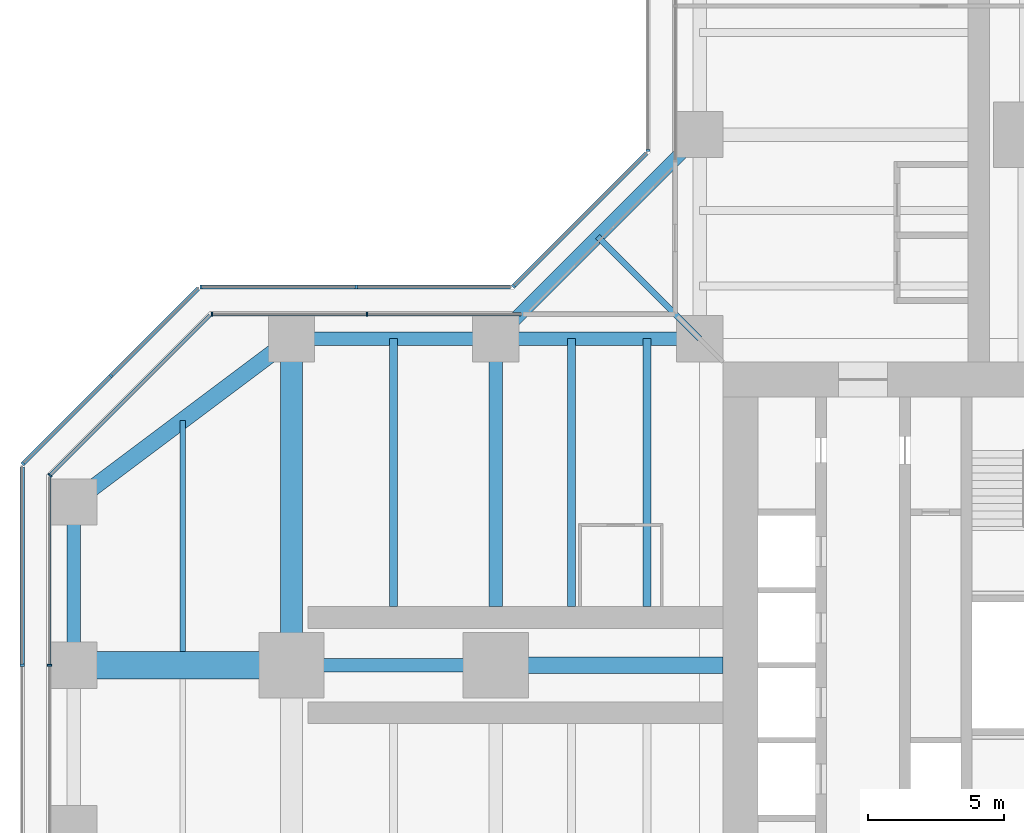
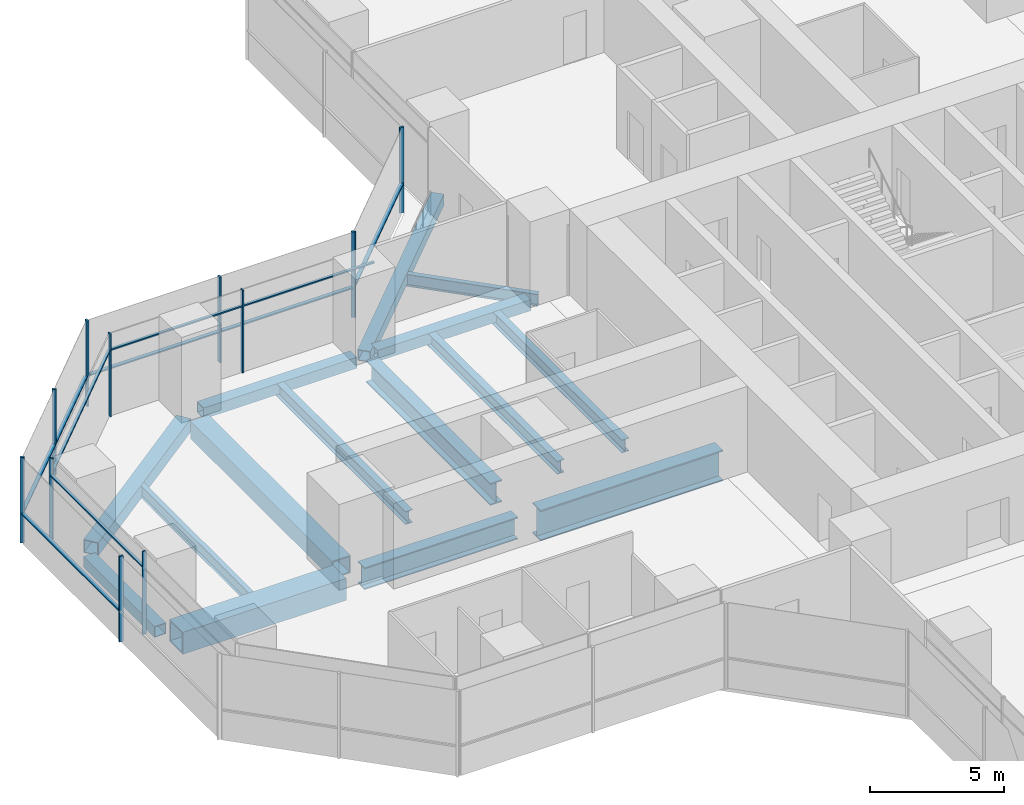
# One storey, part 8 of 22: 21 members, 15 beams, 8 elements without a shape of their own.
"""IFC4 building model written with IfcOpenShell, lengths in metres."""

from ifc_helpers import new_model, si_unit, direction, frame, origin, origin_2d, place, context, subcontext, project, spatial, rectangle, hollow_rectangle, i_section, extrude, material, material_profile, profile_set, type_object, element, aggregate, save


model = new_model("IFC4")

# Units and contexts
model_context = context("Model", 3, precision=1e-05, world=origin(), true_north=direction((0.0, 1.0)))
body_context = subcontext(model_context, "Body", "Model", "MODEL_VIEW")
ifc_project = project(units=[si_unit("LENGTHUNIT", "METRE"), si_unit("AREAUNIT", "SQUARE_METRE"), si_unit("VOLUMEUNIT", "CUBIC_METRE"), si_unit("PLANEANGLEUNIT", "RADIAN"), si_unit("MASSUNIT", "GRAM", prefix="KILO")], contexts=[model_context])

# Site, building, storey
site_placement = place(None, origin())
site = spatial("IfcSite", under=ifc_project, at=site_placement, CompositionType="ELEMENT")
building_placement = place(site_placement, origin())
building = spatial("IfcBuilding", under=site, at=building_placement, Name="Mizan Broadcast Tower", CompositionType="ELEMENT")
storey_placement = place(building_placement, frame((0.0, 0.0, 74.699951171875)))
storey = spatial("IfcBuildingStorey", under=building, at=storey_placement, Name="L15", CompositionType="ELEMENT", Elevation=74.699951171875)

# Beams
ifc_material_1 = material(Name="Steel S355", Category="steel")
ifc_material_profile_1 = material_profile(ifc_material_1, hollow_rectangle(XDim=0.5, YDim=0.5, WallThickness=0.030029296875, at=origin_2d()), Name="BOX 500x500x30")
ifc_profile_set_1 = profile_set([ifc_material_profile_1], Name="Steel S355")
beam_type_1 = type_object("IfcBeamType", Name="EDGE BEAM BOX 500x500x30", PredefinedType="SPANDREL", material=ifc_profile_set_1)
for number, where, z_axis, x_axis, name in (
    (1, (-12.449951171875, 12.0, -0.3798828125), (-1.0, 0.0, 0.0), (0.0, -1.0, 0.0), "Edge beam BOX 500x500x30 L15 west arm"),
    (2, (-19.949951171875, 12.0, -0.3798828125), (-1.0, 0.0, 0.0), (0.0, -1.0, 0.0), "Edge beam BOX 500x500x30 L15 west arm"),
):
    element("IfcBeam", number, at=place(storey_placement, frame(where, z_axis=z_axis, x_axis=x_axis)), inside=storey, type_object=beam_type_1, Name=name, PredefinedType="SPANDREL", context=body_context, shape_type="SweptSolid", body=[
        extrude(hollow_rectangle(XDim=0.5, YDim=0.5, WallThickness=0.030029296875, at=origin_2d()), origin(), (0.0, 0.0, 1.0), 6.60009765625),
    ])
beam_1_placement = place(storey_placement, frame((-35.0, 5.639892578125, -0.3798828125), z_axis=(0.0, -1.0, 0.0), x_axis=(1.0, 0.0, 0.0)))
element("IfcBeam", 3, at=beam_1_placement, inside=storey, type_object=beam_type_1, Name="Edge beam BOX 500x500x30 L15 west arm", PredefinedType="SPANDREL", context=body_context, shape_type="SweptSolid", body=[
    extrude(hollow_rectangle(XDim=0.5, YDim=0.5, WallThickness=0.030029296875, at=origin_2d()), origin(), (0.0, 0.0, 1.0), 5.27978515625),
])
beam_2_placement = place(storey_placement, frame((-12.0, 19.5, -0.3798828125), z_axis=(-0.707106781187, -0.707106781187, 0.0), x_axis=(0.707106781187, -0.707106781187, 0.0)))
element("IfcBeam", 4, at=beam_2_placement, inside=storey, type_object=beam_type_1, Name="Winter garden edge beam L15 N", PredefinedType="SPANDREL", context=body_context, shape_type="SweptSolid", body=[
    extrude(hollow_rectangle(XDim=0.5, YDim=0.5, WallThickness=0.030029296875, at=origin_2d()), origin(), (0.0, 0.0, 1.0), 10.606689453125),
])
ifc_material_2 = material(Name="Steel S355", Category="steel")
ifc_material_profile_2 = material_profile(ifc_material_2, hollow_rectangle(XDim=0.60009765625, YDim=0.60009765625, WallThickness=0.030029296875, at=origin_2d()), Name="BOX 600x600x30")
ifc_profile_set_2 = profile_set([ifc_material_profile_2], Name="Steel S355")
beam_type_2 = type_object("IfcBeamType", Name="EDGE BEAM BOX 600x600x30", PredefinedType="SPANDREL", material=ifc_profile_set_2)
beam_3_placement = place(storey_placement, frame((-27.47998046875, 11.639892578125, -0.429931640625), z_axis=(-0.800013316712, -0.599982243973, 0.0), x_axis=(0.599982243973, -0.800013316712, 0.0)))
element("IfcBeam", 5, at=beam_3_placement, inside=storey, type_object=beam_type_2, Name="Edge beam BOX 600x600x30 L15 west arm", PredefinedType="SPANDREL", context=body_context, shape_type="SweptSolid", body=[
    extrude(hollow_rectangle(XDim=0.60009765625, YDim=0.60009765625, WallThickness=0.030029296875, at=origin_2d()), origin(), (0.0, 0.0, 1.0), 8.7998046875),
])
ifc_material_3 = material(Name="Steel S460", Category="steel")
ifc_material_profile_3 = material_profile(ifc_material_3, hollow_rectangle(XDim=1.0, YDim=1.0, WallThickness=0.06005859375, at=origin_2d()), Name="BOX 1000x1000x60")
ifc_profile_set_3 = profile_set([ifc_material_profile_3], Name="Steel S460")
beam_type_3 = type_object("IfcBeamType", Name="GIRDER BOX 1000x1000x60", PredefinedType="BEAM", material=ifc_profile_set_3)
beam_4_placement = place(storey_placement, frame((-27.47998046875, 0.0, -0.6298828125), z_axis=(-1.0, 0.0, 0.0), x_axis=(0.0, -1.0, 0.0)))
element("IfcBeam", 6, at=beam_4_placement, inside=storey, type_object=beam_type_3, Name="Girder BOX 1000x1000x60 L15 west arm", PredefinedType="BEAM", context=body_context, shape_type="SweptSolid", body=[
    extrude(hollow_rectangle(XDim=1.0, YDim=1.0, WallThickness=0.06005859375, at=origin_2d()), origin(), (0.0, 0.0, 1.0), 7.0400390625),
])
ifc_material_4 = material(Name="Steel S460", Category="steel")
ifc_material_profile_4 = material_profile(ifc_material_4, hollow_rectangle(XDim=0.800048828125, YDim=0.800048828125, WallThickness=0.050048828125, at=origin_2d()), Name="BOX 800x800x50")
ifc_profile_set_4 = profile_set([ifc_material_profile_4], Name="Steel S460")
beam_type_4 = type_object("IfcBeamType", Name="GIRDER BOX 800x800x50", PredefinedType="BEAM", material=ifc_profile_set_4)
beam_5_placement = place(storey_placement, frame((-27.0, 11.280029296875, -0.530029296875), z_axis=(0.0, -1.0, 0.0), x_axis=(1.0, 0.0, 0.0)))
element("IfcBeam", 7, at=beam_5_placement, inside=storey, type_object=beam_type_4, Name="Girder BOX 800x800x50 L15 west arm", PredefinedType="BEAM", context=body_context, shape_type="SweptSolid", body=[
    extrude(hollow_rectangle(XDim=0.800048828125, YDim=0.800048828125, WallThickness=0.050048828125, at=origin_2d()), origin(), (0.0, 0.0, 1.0), 10.56005859375),
])
ifc_material_5 = material(Name="Steel S460", Category="steel")
ifc_material_profile_5 = material_profile(ifc_material_5, i_section(OverallWidth=0.5, OverallDepth=1.0, WebThickness=0.02490234375, FlangeThickness=0.050048828125, at=origin_2d()), Name="WPG 1000x500")
ifc_profile_set_5 = profile_set([ifc_material_profile_5], Name="Steel S460")
beam_type_5 = type_object("IfcBeamType", Name="GIRDER WPG 1000x500", PredefinedType="BEAM", material=ifc_profile_set_5)
beam_6_placement = place(storey_placement, frame((-19.949951171875, 0.0, -0.6298828125), z_axis=(-1.0, 0.0, 0.0), x_axis=(0.0, -1.0, 0.0)))
element("IfcBeam", 8, at=beam_6_placement, inside=storey, type_object=beam_type_5, Name="Girder WPG 1000x500 L15 west arm", PredefinedType="BEAM", context=body_context, shape_type="SweptSolid", body=[
    extrude(i_section(OverallWidth=0.5, OverallDepth=1.0, WebThickness=0.02490234375, FlangeThickness=0.050048828125, at=origin_2d()), origin(), (0.0, 0.0, 1.0), 6.60009765625),
])
beam_7_placement = place(storey_placement, frame((-19.5, 11.408935546875, -0.6298828125), z_axis=(0.0, -1.0, 0.0), x_axis=(1.0, 0.0, 0.0)))
element("IfcBeam", 9, at=beam_7_placement, inside=storey, type_object=beam_type_5, Name="Girder WPG 1000x500 L15 west arm", PredefinedType="BEAM", context=body_context, shape_type="SweptSolid", body=[
    extrude(i_section(OverallWidth=0.5, OverallDepth=1.0, WebThickness=0.02490234375, FlangeThickness=0.050048828125, at=origin_2d()), origin(), (0.0, 0.0, 1.0), 9.259033203125),
])
ifc_material_6 = material(Name="Steel S460", Category="steel")
ifc_material_profile_6 = material_profile(ifc_material_6, i_section(OverallWidth=0.60009765625, OverallDepth=1.39990234375, WebThickness=0.02490234375, FlangeThickness=0.06005859375, at=origin_2d()), Name="WPG 1400x600")
ifc_profile_set_6 = profile_set([ifc_material_profile_6], Name="Steel S460")
beam_type_6 = type_object("IfcBeamType", Name="GIRDER WPG 1400x600", PredefinedType="BEAM", material=ifc_profile_set_6)
beam_8_placement = place(storey_placement, frame((-11.14990234375, 0.0, -0.829833984375), z_axis=(-1.0, 0.0, 0.0), x_axis=(0.0, -1.0, 0.0)))
element("IfcBeam", 10, at=beam_8_placement, inside=storey, type_object=beam_type_6, Name="Girder WPG 1400x600 L15 west arm", PredefinedType="BEAM", context=body_context, shape_type="SweptSolid", body=[
    extrude(i_section(OverallWidth=0.60009765625, OverallDepth=1.39990234375, WebThickness=0.02490234375, FlangeThickness=0.06005859375, at=origin_2d()), origin(), (0.0, 0.0, 1.0), 7.84912109375),
])

# Curtain wall, members
ifc_material_7 = material(Name="Aluminium framed glazing", Category="aluminium")
curtain_wall_type_1 = type_object("IfcCurtainWallType", Name="INNER SKIN LOW ZONE", PredefinedType="USERDEFINED", material=ifc_material_7)
curtain_wall_1_placement = place(storey_placement, origin())
curtain_wall_1 = element("IfcCurtainWall", 11, at=curtain_wall_1_placement, inside=storey, type_object=curtain_wall_type_1, Name="Inner skin low zone L15 W side", ObjectType="INNER SKIN LOW ZONE", PredefinedType="USERDEFINED")
ifc_material_8 = material(Name="Aluminium, pale anodised", Category="aluminium")
ifc_material_profile_7 = material_profile(ifc_material_8, rectangle(XDim=0.159912109375, YDim=0.06005859375, at=origin_2d()), Name="MULLION 160x60")
ifc_profile_set_7 = profile_set([ifc_material_profile_7], Name="Aluminium, pale anodised")
member_type_1 = type_object("IfcMemberType", Name="INNER SKIN MULLION 60x160", PredefinedType="MULLION", material=ifc_profile_set_7)
member_1_placement = place(storey_placement, frame((-24.229248046875, 12.89990234375, 0.0), z_axis=(0.0, 0.0, 1.0), x_axis=(0.0, -1.0, 0.0)))
member_1 = element("IfcMember", 12, at=member_1_placement, type_object=member_type_1, Name="Inner skin low zone L15 W side mullion 2", PredefinedType="MULLION", context=body_context, shape_type="SweptSolid", body=[
    extrude(rectangle(XDim=0.159912109375, YDim=0.06005859375, at=origin_2d()), origin(), (0.0, 0.0, 1.0), 3.77001953125),
])
member_2_placement = place(storey_placement, frame((-29.928466796875, 12.89990234375, 0.0), z_axis=(0.0, 0.0, 1.0), x_axis=(0.0, -1.0, 0.0)))
member_2 = element("IfcMember", 13, at=member_2_placement, type_object=member_type_1, Name="Inner skin low zone L15 W side mullion 3", PredefinedType="MULLION", context=body_context, shape_type="SweptSolid", body=[
    extrude(rectangle(XDim=0.159912109375, YDim=0.06005859375, at=origin_2d()), origin(), (0.0, 0.0, 1.0), 3.77001953125),
])

# Curtain wall, member
curtain_wall_2_placement = place(storey_placement, origin())
curtain_wall_2 = element("IfcCurtainWall", 14, at=curtain_wall_2_placement, inside=storey, type_object=curtain_wall_type_1, Name="Inner skin low zone L15 W chamfer", ObjectType="INNER SKIN LOW ZONE", PredefinedType="USERDEFINED")
member_3_placement = place(storey_placement, frame((-35.87890625, 6.979736328125, 0.0), z_axis=(0.0, 0.0, 1.0), x_axis=(0.707106781187, -0.707106781187, 0.0)))
member_3 = element("IfcMember", 15, at=member_3_placement, type_object=member_type_1, Name="Inner skin low zone L15 W chamfer mullion 2", PredefinedType="MULLION", context=body_context, shape_type="SweptSolid", body=[
    extrude(rectangle(XDim=0.159912109375, YDim=0.06005859375, at=origin_2d()), origin(), (0.0, 0.0, 1.0), 3.77001953125),
])

curtain_wall_3_placement = place(storey_placement, origin())
curtain_wall_3 = element("IfcCurtainWall", 16, at=curtain_wall_3_placement, inside=storey, type_object=curtain_wall_type_1, Name="Inner skin low zone L15 W end", ObjectType="INNER SKIN LOW ZONE", PredefinedType="USERDEFINED")
member_4_placement = place(storey_placement, frame((-35.89990234375, 0.0, 0.0), z_axis=(0.0, 0.0, 1.0), x_axis=(1.0, 0.0, 0.0)))
member_4 = element("IfcMember", 17, at=member_4_placement, type_object=member_type_1, Name="Inner skin low zone L15 W end mullion 2", PredefinedType="MULLION", context=body_context, shape_type="SweptSolid", body=[
    extrude(rectangle(XDim=0.159912109375, YDim=0.06005859375, at=origin_2d()), origin(), (0.0, 0.0, 1.0), 3.77001953125),
])

# Member
ifc_material_9 = material(Name="Aluminium, pale anodised", Category="aluminium")
ifc_material_profile_8 = material_profile(ifc_material_9, rectangle(XDim=0.1201171875, YDim=0.06005859375, at=origin_2d()), Name="TRANSOM 120x60")
ifc_profile_set_8 = profile_set([ifc_material_profile_8], Name="Aluminium, pale anodised")
member_type_2 = type_object("IfcMemberType", Name="INNER SKIN TRANSOM 60x120", PredefinedType="USERDEFINED", material=ifc_profile_set_8)
member_5_placement = place(storey_placement, frame((-18.56005859375, 12.89990234375, 3.030029296875), z_axis=(-1.0, 0.0, 0.0), x_axis=(0.0, -1.0, 0.0)))
member_5 = element("IfcMember", 18, at=member_5_placement, type_object=member_type_2, Name="Inner skin low zone L15 W side transom 1.1", ObjectType="TRANSOM", PredefinedType="USERDEFINED", context=body_context, shape_type="SweptSolid", body=[
    extrude(rectangle(XDim=0.1201171875, YDim=0.06005859375, at=origin_2d()), origin(), (0.0, 0.0, 1.0), 5.63916015625),
])

member_6_placement = place(storey_placement, frame((-24.25927734375, 12.89990234375, 3.030029296875), z_axis=(-1.0, 0.0, 0.0), x_axis=(0.0, -1.0, 0.0)))
member_6 = element("IfcMember", 19, at=member_6_placement, type_object=member_type_2, Name="Inner skin low zone L15 W side transom 2.1", ObjectType="TRANSOM", PredefinedType="USERDEFINED", context=body_context, shape_type="SweptSolid", body=[
    extrude(rectangle(XDim=0.1201171875, YDim=0.06005859375, at=origin_2d()), origin(), (0.0, 0.0, 1.0), 5.639404296875),
])

aggregate(curtain_wall_1, [member_1, member_2, member_5, member_6])

member_7_placement = place(storey_placement, frame((-30.0009765625, 12.857666015625, 3.030029296875), z_axis=(-0.707106781187, -0.707106781187, 0.0), x_axis=(0.707106781187, -0.707106781187, 0.0)))
member_7 = element("IfcMember", 20, at=member_7_placement, type_object=member_type_2, Name="Inner skin low zone L15 W chamfer transom 1.1", ObjectType="TRANSOM", PredefinedType="USERDEFINED", context=body_context, shape_type="SweptSolid", body=[
    extrude(rectangle(XDim=0.1201171875, YDim=0.06005859375, at=origin_2d()), origin(), (0.0, 0.0, 1.0), 8.28271484375),
])

aggregate(curtain_wall_2, [member_3, member_7])

member_8_placement = place(storey_placement, frame((-35.89990234375, 6.898681640625, 3.030029296875), z_axis=(0.0, -1.0, 0.0), x_axis=(1.0, 0.0, 0.0)))
member_8 = element("IfcMember", 21, at=member_8_placement, type_object=member_type_2, Name="Inner skin low zone L15 W end transom 1.1", ObjectType="TRANSOM", PredefinedType="USERDEFINED", context=body_context, shape_type="SweptSolid", body=[
    extrude(rectangle(XDim=0.1201171875, YDim=0.06005859375, at=origin_2d()), origin(), (0.0, 0.0, 1.0), 6.86865234375),
])

aggregate(curtain_wall_3, [member_4, member_8])

# Curtain wall, member
ifc_material_10 = material(Name="Aluminium framed glazing", Category="aluminium")
curtain_wall_type_2 = type_object("IfcCurtainWallType", Name="OUTER SKIN", PredefinedType="USERDEFINED", material=ifc_material_10)
curtain_wall_4_placement = place(storey_placement, origin())
curtain_wall_4 = element("IfcCurtainWall", 22, at=curtain_wall_4_placement, inside=storey, type_object=curtain_wall_type_2, Name="Outer skin L15 N side", ObjectType="OUTER SKIN", PredefinedType="USERDEFINED")
ifc_material_11 = material(Name="Aluminium, pale anodised", Category="aluminium")
ifc_material_profile_9 = material_profile(ifc_material_11, rectangle(XDim=0.159912109375, YDim=0.080078125, at=origin_2d()), Name="MULLION 160x80")
ifc_profile_set_9 = profile_set([ifc_material_profile_9], Name="Aluminium, pale anodised")
member_type_3 = type_object("IfcMemberType", Name="OUTER SKIN MULLION 80x160", PredefinedType="MULLION", material=ifc_profile_set_9)
member_9_placement = place(storey_placement, frame((-13.89990234375, 18.912841796875, 0.0), z_axis=(0.0, 0.0, 1.0), x_axis=(1.0, 0.0, 0.0)))
member_9 = element("IfcMember", 23, at=member_9_placement, type_object=member_type_3, Name="Outer skin L15 N side mullion 3", PredefinedType="MULLION", context=body_context, shape_type="SweptSolid", body=[
    extrude(rectangle(XDim=0.159912109375, YDim=0.080078125, at=origin_2d()), origin(), (0.0, 0.0, 1.0), 3.900146484375),
])
aggregate(curtain_wall_4, [member_9])

curtain_wall_5_placement = place(storey_placement, origin())
curtain_wall_5 = element("IfcCurtainWall", 24, at=curtain_wall_5_placement, inside=storey, type_object=curtain_wall_type_2, Name="Outer skin L15 W chamfer", ObjectType="OUTER SKIN", PredefinedType="USERDEFINED")
member_10_placement = place(storey_placement, frame((-18.844482421875, 13.92822265625, 0.0), z_axis=(0.0, 0.0, 1.0), x_axis=(0.707106781187, -0.707106781187, 0.0)))
member_10 = element("IfcMember", 25, at=member_10_placement, type_object=member_type_3, Name="Outer skin L15 W chamfer mullion 2", PredefinedType="MULLION", context=body_context, shape_type="SweptSolid", body=[
    extrude(rectangle(XDim=0.159912109375, YDim=0.080078125, at=origin_2d()), origin(), (0.0, 0.0, 1.0), 3.900146484375),
])

# Curtain wall, members
curtain_wall_6_placement = place(storey_placement, origin())
curtain_wall_6 = element("IfcCurtainWall", 26, at=curtain_wall_6_placement, inside=storey, type_object=curtain_wall_type_2, Name="Outer skin L15 W side", ObjectType="OUTER SKIN", PredefinedType="USERDEFINED")
member_11_placement = place(storey_placement, frame((-24.622802734375, 13.89990234375, 0.0), z_axis=(0.0, 0.0, 1.0), x_axis=(0.0, -1.0, 0.0)))
member_11 = element("IfcMember", 27, at=member_11_placement, type_object=member_type_3, Name="Outer skin L15 W side mullion 2", PredefinedType="MULLION", context=body_context, shape_type="SweptSolid", body=[
    extrude(rectangle(XDim=0.159912109375, YDim=0.080078125, at=origin_2d()), origin(), (0.0, 0.0, 1.0), 3.900146484375),
])
member_12_placement = place(storey_placement, frame((-30.332763671875, 13.89990234375, 0.0), z_axis=(0.0, 0.0, 1.0), x_axis=(0.0, -1.0, 0.0)))
member_12 = element("IfcMember", 28, at=member_12_placement, type_object=member_type_3, Name="Outer skin L15 W side mullion 3", PredefinedType="MULLION", context=body_context, shape_type="SweptSolid", body=[
    extrude(rectangle(XDim=0.159912109375, YDim=0.080078125, at=origin_2d()), origin(), (0.0, 0.0, 1.0), 3.900146484375),
])

curtain_wall_7_placement = place(storey_placement, origin())
curtain_wall_7 = element("IfcCurtainWall", 29, at=curtain_wall_7_placement, inside=storey, type_object=curtain_wall_type_2, Name="Outer skin L15 W chamfer", ObjectType="OUTER SKIN", PredefinedType="USERDEFINED")
member_13_placement = place(storey_placement, frame((-33.636474609375, 10.636474609375, 0.0), z_axis=(0.0, 0.0, 1.0), x_axis=(0.707106781187, -0.707106781187, 0.0)))
member_13 = element("IfcMember", 30, at=member_13_placement, type_object=member_type_3, Name="Outer skin L15 W chamfer mullion 2", PredefinedType="MULLION", context=body_context, shape_type="SweptSolid", body=[
    extrude(rectangle(XDim=0.159912109375, YDim=0.080078125, at=origin_2d()), origin(), (0.0, 0.0, 1.0), 3.900146484375),
])
member_14_placement = place(storey_placement, frame((-36.871826171875, 7.401123046875, 0.0), z_axis=(0.0, 0.0, 1.0), x_axis=(0.707106781187, -0.707106781187, 0.0)))
member_14 = element("IfcMember", 31, at=member_14_placement, type_object=member_type_3, Name="Outer skin L15 W chamfer mullion 3", PredefinedType="MULLION", context=body_context, shape_type="SweptSolid", body=[
    extrude(rectangle(XDim=0.159912109375, YDim=0.080078125, at=origin_2d()), origin(), (0.0, 0.0, 1.0), 3.900146484375),
])

# Curtain wall, member
curtain_wall_8_placement = place(storey_placement, origin())
curtain_wall_8 = element("IfcCurtainWall", 32, at=curtain_wall_8_placement, inside=storey, type_object=curtain_wall_type_2, Name="Outer skin L15 W end", ObjectType="OUTER SKIN", PredefinedType="USERDEFINED")
member_15_placement = place(storey_placement, frame((-36.89990234375, 0.0, 0.0), z_axis=(0.0, 0.0, 1.0), x_axis=(1.0, 0.0, 0.0)))
member_15 = element("IfcMember", 33, at=member_15_placement, type_object=member_type_3, Name="Outer skin L15 W end mullion 2", PredefinedType="MULLION", context=body_context, shape_type="SweptSolid", body=[
    extrude(rectangle(XDim=0.159912109375, YDim=0.080078125, at=origin_2d()), origin(), (0.0, 0.0, 1.0), 3.900146484375),
])

# Member
ifc_material_12 = material(Name="Aluminium, pale anodised", Category="aluminium")
ifc_material_profile_10 = material_profile(ifc_material_12, rectangle(XDim=0.159912109375, YDim=0.06005859375, at=origin_2d()), Name="TRANSOM 160x60")
ifc_profile_set_10 = profile_set([ifc_material_profile_10], Name="Aluminium, pale anodised")
member_type_4 = type_object("IfcMemberType", Name="OUTER SKIN TRANSOM 60x160", PredefinedType="USERDEFINED", material=ifc_profile_set_10)
member_16_placement = place(storey_placement, frame((-13.95654296875, 18.816162109375, 1.400146484375), z_axis=(-0.707106781187, -0.707106781187, 0.0), x_axis=(0.707106781187, -0.707106781187, 0.0)))
member_16 = element("IfcMember", 34, at=member_16_placement, type_object=member_type_4, Name="Outer skin L15 W chamfer transom 1.1", ObjectType="TRANSOM", PredefinedType="USERDEFINED", context=body_context, shape_type="SweptSolid", body=[
    extrude(rectangle(XDim=0.159912109375, YDim=0.06005859375, at=origin_2d()), origin(), (0.0, 0.0, 1.0), 6.87255859375),
])

aggregate(curtain_wall_5, [member_10, member_16])

member_17_placement = place(storey_placement, frame((-18.952880859375, 13.89990234375, 1.400146484375), z_axis=(-1.0, 0.0, 0.0), x_axis=(0.0, -1.0, 0.0)))
member_17 = element("IfcMember", 35, at=member_17_placement, type_object=member_type_4, Name="Outer skin L15 W side transom 1.1", ObjectType="TRANSOM", PredefinedType="USERDEFINED", context=body_context, shape_type="SweptSolid", body=[
    extrude(rectangle(XDim=0.159912109375, YDim=0.06005859375, at=origin_2d()), origin(), (0.0, 0.0, 1.0), 5.6298828125),
])

member_18_placement = place(storey_placement, frame((-24.662841796875, 13.89990234375, 1.400146484375), z_axis=(-1.0, 0.0, 0.0), x_axis=(0.0, -1.0, 0.0)))
member_18 = element("IfcMember", 36, at=member_18_placement, type_object=member_type_4, Name="Outer skin L15 W side transom 2.1", ObjectType="TRANSOM", PredefinedType="USERDEFINED", context=body_context, shape_type="SweptSolid", body=[
    extrude(rectangle(XDim=0.159912109375, YDim=0.06005859375, at=origin_2d()), origin(), (0.0, 0.0, 1.0), 5.6298828125),
])

aggregate(curtain_wall_6, [member_11, member_12, member_17, member_18])

member_19_placement = place(storey_placement, frame((-30.429443359375, 13.843505859375, 1.400146484375), z_axis=(-0.707106781187, -0.707106781187, 0.0), x_axis=(0.707106781187, -0.707106781187, 0.0)))
member_19 = element("IfcMember", 37, at=member_19_placement, type_object=member_type_4, Name="Outer skin L15 W chamfer transom 1.1", ObjectType="TRANSOM", PredefinedType="USERDEFINED", context=body_context, shape_type="SweptSolid", body=[
    extrude(rectangle(XDim=0.159912109375, YDim=0.06005859375, at=origin_2d()), origin(), (0.0, 0.0, 1.0), 4.495361328125),
])

member_20_placement = place(storey_placement, frame((-33.664794921875, 10.608154296875, 1.400146484375), z_axis=(-0.707106781187, -0.707106781187, 0.0), x_axis=(0.707106781187, -0.707106781187, 0.0)))
member_20 = element("IfcMember", 38, at=member_20_placement, type_object=member_type_4, Name="Outer skin L15 W chamfer transom 2.1", ObjectType="TRANSOM", PredefinedType="USERDEFINED", context=body_context, shape_type="SweptSolid", body=[
    extrude(rectangle(XDim=0.159912109375, YDim=0.06005859375, at=origin_2d()), origin(), (0.0, 0.0, 1.0), 4.495361328125),
])

aggregate(curtain_wall_7, [member_13, member_14, member_19, member_20])

member_21_placement = place(storey_placement, frame((-36.89990234375, 7.292724609375, 1.400146484375), z_axis=(0.0, -1.0, 0.0), x_axis=(1.0, 0.0, 0.0)))
member_21 = element("IfcMember", 39, at=member_21_placement, type_object=member_type_4, Name="Outer skin L15 W end transom 1.1", ObjectType="TRANSOM", PredefinedType="USERDEFINED", context=body_context, shape_type="SweptSolid", body=[
    extrude(rectangle(XDim=0.159912109375, YDim=0.06005859375, at=origin_2d()), origin(), (0.0, 0.0, 1.0), 7.252685546875),
])

aggregate(curtain_wall_8, [member_15, member_21])

# Beams
ifc_material_13 = material(Name="Steel S355", Category="steel")
ifc_material_profile_11 = material_profile(ifc_material_13, i_section(OverallWidth=0.300048828125, OverallDepth=0.590087890625, WebThickness=0.012939453125, FlangeThickness=0.02490234375, FilletRadius=0.027099609375, at=origin_2d()), Name="HEA 600")
ifc_profile_set_11 = profile_set([ifc_material_profile_11], Name="Steel S355")
beam_type_7 = type_object("IfcBeamType", Name="SECONDARY BEAM HEA 600", PredefinedType="JOIST", material=ifc_profile_set_11)
for number, where, z_axis, x_axis, name in (
    (40, (-13.933349609375, 12.0, -0.425048828125), (0.0, -1.0, 0.0), (1.0, 0.0, 0.0), "Secondary beam HEA 600 L15 west arm"),
    (41, (-16.716552734375, 12.0, -0.425048828125), (0.0, -1.0, 0.0), (1.0, 0.0, 0.0), "Secondary beam HEA 600 L15 west arm"),
    (42, (-23.25, 12.0, -0.425048828125), (0.0, -1.0, 0.0), (1.0, 0.0, 0.0), "Secondary beam HEA 600 L15 west arm"),
):
    element("IfcBeam", number, at=place(storey_placement, frame(where, z_axis=z_axis, x_axis=x_axis)), inside=storey, type_object=beam_type_7, Name=name, PredefinedType="JOIST", context=body_context, shape_type="SweptSolid", body=[
        extrude(i_section(OverallWidth=0.300048828125, OverallDepth=0.590087890625, WebThickness=0.012939453125, FlangeThickness=0.02490234375, FilletRadius=0.027099609375, at=origin_2d()), origin(), (0.0, 0.0, 1.0), 9.85009765625),
    ])
ifc_material_14 = material(Name="Steel S355", Category="steel")
ifc_material_profile_12 = material_profile(ifc_material_14, i_section(OverallWidth=0.2099609375, OverallDepth=0.550048828125, WebThickness=0.010986328125, FlangeThickness=0.01708984375, FilletRadius=0.02392578125, at=origin_2d()), Name="IPE 550")
ifc_profile_set_12 = profile_set([ifc_material_profile_12], Name="Steel S355")
beam_type_8 = type_object("IfcBeamType", Name="SECONDARY BEAM IPE 550", PredefinedType="JOIST", material=ifc_profile_set_12)
beam_9_placement = place(storey_placement, frame((-31.0, 9.0, -0.405029296875), z_axis=(0.0, -1.0, 0.0), x_axis=(1.0, 0.0, 0.0)))
element("IfcBeam", 43, at=beam_9_placement, inside=storey, type_object=beam_type_8, Name="Secondary beam IPE 550 L15 west arm", PredefinedType="JOIST", context=body_context, shape_type="SweptSolid", body=[
    extrude(i_section(OverallWidth=0.2099609375, OverallDepth=0.550048828125, WebThickness=0.010986328125, FlangeThickness=0.01708984375, FilletRadius=0.02392578125, at=origin_2d()), origin(), (0.0, 0.0, 1.0), 8.5),
])
beam_10_placement = place(storey_placement, frame((-12.0, 12.0, -0.405029296875), z_axis=(-0.707106781187, 0.707106781187, 0.0), x_axis=(-0.707106781187, -0.707106781187, 0.0)))
element("IfcBeam", 44, at=beam_10_placement, inside=storey, type_object=beam_type_8, Name="Winter garden beam L15 N", PredefinedType="JOIST", context=body_context, shape_type="SweptSolid", body=[
    extrude(i_section(OverallWidth=0.2099609375, OverallDepth=0.550048828125, WebThickness=0.010986328125, FlangeThickness=0.01708984375, FilletRadius=0.02392578125, at=origin_2d()), origin(), (0.0, 0.0, 1.0), 5.30322265625),
])

save(model, "model.ifc")
